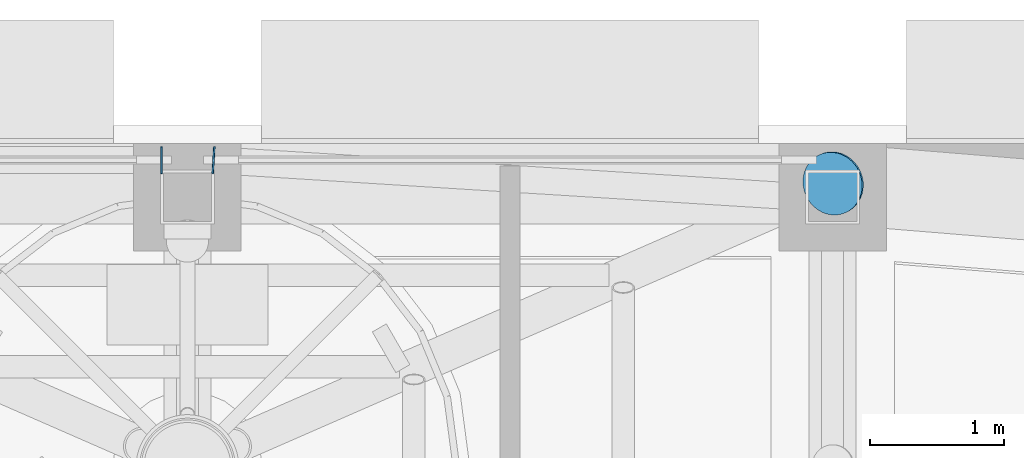
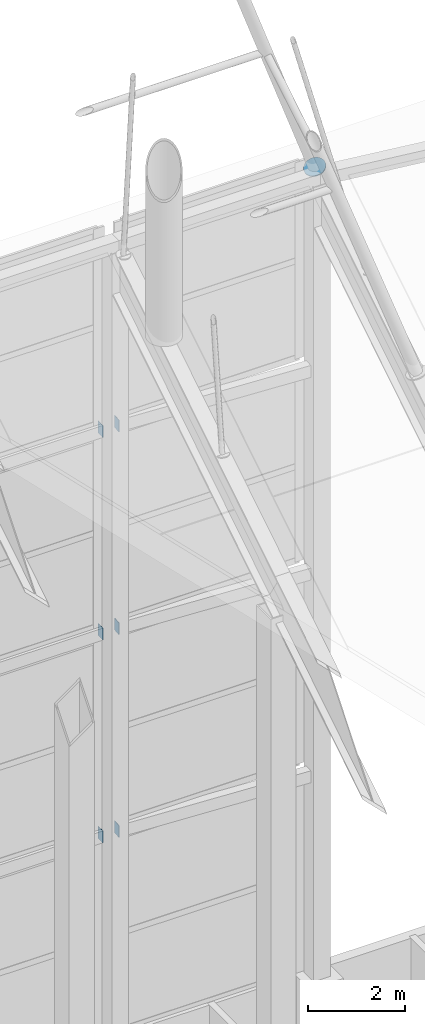
# One storey, part 23 of 25: 7 discrete accessories.
"""IFC4 building model written with IfcOpenShell, lengths in metres."""

from ifc_helpers import new_model, si_unit, direction, frame, origin, origin_2d, place, context, subcontext, project, spatial, rectangle, circle, extrude, element, save


model = new_model("IFC4")

# Units and contexts
model_context = context("Model", 3, precision=1e-05, world=origin(), true_north=direction((0.0, 1.0)))
body_context = subcontext(model_context, "Body", "Model", "MODEL_VIEW")
ifc_project = project(units=[si_unit("LENGTHUNIT", "METRE"), si_unit("AREAUNIT", "SQUARE_METRE"), si_unit("VOLUMEUNIT", "CUBIC_METRE"), si_unit("PLANEANGLEUNIT", "RADIAN"), si_unit("MASSUNIT", "GRAM", prefix="KILO")], contexts=[model_context])

# Site, building, storey
site_placement = place(None, origin())
site = spatial("IfcSite", under=ifc_project, at=site_placement, CompositionType="ELEMENT")
building_placement = place(site_placement, origin())
building = spatial("IfcBuilding", under=site, at=building_placement, Name="Kolab Exchange Tower", CompositionType="ELEMENT")
storey_placement = place(building_placement, frame((0.0, 0.0, 301.89990234375)))
storey = spatial("IfcBuildingStorey", under=building, at=storey_placement, Name="L68", CompositionType="ELEMENT", Elevation=301.89990234375)

# Discrete accessories
for number, where, z_axis, x_axis, name in (
    (1, (-0.199951171875, 16.502685546875, 10.101806640625), (1.0, 0.0, 0.0), (0.0, 1.0, 0.0), "End cap plate"),
    (2, (-0.199951171875, 16.502685546875, 15.203857421875), (1.0, 0.0, 0.0), (0.0, 1.0, 0.0), "End cap plate"),
    (3, (-0.199951171875, 16.502685546875, 20.3056640625), (1.0, 0.0, 0.0), (0.0, 1.0, 0.0), "End cap plate"),
    (4, (0.199951171875, 16.502685546875, 10.101806640625), (-0.998131033565, 0.06111006328, 0.0), (-0.06111006328, -0.998131033565, 0.0), "End cap plate"),
    (5, (0.199951171875, 16.502685546875, 15.203857421875), (-0.998131033565, 0.06111006328, 0.0), (-0.06111006328, -0.998131033565, 0.0), "End cap plate"),
    (6, (0.199951171875, 16.502685546875, 20.3056640625), (-0.998131033565, 0.06111006328, 0.0), (-0.06111006328, -0.998131033565, 0.0), "End cap plate"),
):
    element("IfcDiscreteAccessory", number, at=place(storey_placement, frame(where, z_axis=z_axis, x_axis=x_axis)), inside=storey, Name=name, ObjectType="END CAP PLATE", PredefinedType="USERDEFINED", context=body_context, shape_type="SweptSolid", body=[
        extrude(rectangle(XDim=0.199951171875, YDim=0.300048828125, at=origin_2d()), origin(), (0.0, 0.0, 1.0), 0.011962890625),
    ])
discrete_accessory_placement = place(storey_placement, frame((4.800048828125, 16.32763671875, 25.26806640625), z_axis=(0.361186237805, 0.165950433586, -0.91760827983), x_axis=(-0.417500171551, 0.908676843963, 0.0)))
element("IfcDiscreteAccessory", 7, at=discrete_accessory_placement, inside=storey, Name="Gusset plate", ObjectType="GUSSET PLATE", PredefinedType="USERDEFINED", context=body_context, shape_type="SweptSolid", body=[
    extrude(circle(Radius=0.236572265625, at=origin_2d()), origin(), (0.0, 0.0, 1.0), 0.02490234375),
])

save(model, "model.ifc")
